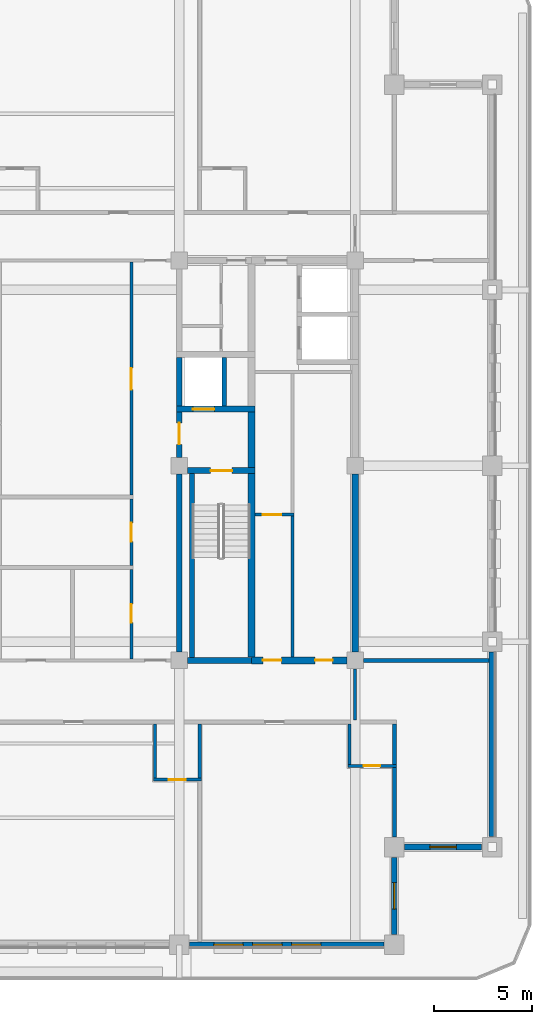
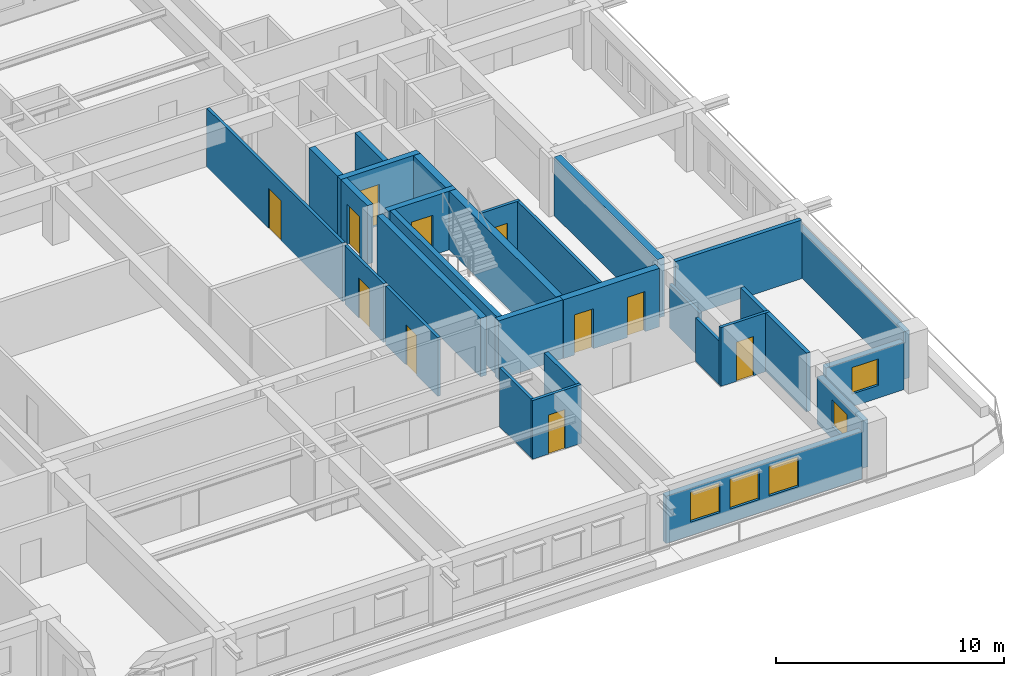
# One storey, part 4 of 14: 30 walls, 11 doors, 5 windows, 16 openings.
"""IFC4 building model written with IfcOpenShell, lengths in metres."""

from ifc_helpers import new_model, si_unit, direction, frame, frame_2d, origin, place, context, subcontext, project, spatial, rectangle, extrude, material, layer, layer_set, type_object, element, fill, save


model = new_model("IFC4")

# Units and contexts
model_context = context("Model", 3, precision=1e-05, world=origin(), true_north=direction((0.0, 1.0)))
body_context = subcontext(model_context, "Body", "Model", "MODEL_VIEW")
ifc_project = project(units=[si_unit("LENGTHUNIT", "METRE"), si_unit("AREAUNIT", "SQUARE_METRE"), si_unit("VOLUMEUNIT", "CUBIC_METRE"), si_unit("PLANEANGLEUNIT", "RADIAN"), si_unit("MASSUNIT", "GRAM", prefix="KILO")], contexts=[model_context])

# Site, building, storey
site_placement = place(None, origin())
site = spatial("IfcSite", under=ifc_project, at=site_placement, CompositionType="ELEMENT")
building_placement = place(site_placement, origin())
building = spatial("IfcBuilding", under=site, at=building_placement, Name="Zulmaris Gate Convention Tower", CompositionType="ELEMENT")
storey_placement = place(building_placement, frame((0.0, 0.0, 162.659912109375)))
storey = spatial("IfcBuildingStorey", under=building, at=storey_placement, Name="L41", CompositionType="ELEMENT", Elevation=162.659912109375)

# Walls
ifc_material_1 = material(Name="Concrete C50/60", Category="concrete")
ifc_layer_1 = layer(ifc_material_1, 0.25, Name="Concrete C50/60")
ifc_layer_set_1 = layer_set([ifc_layer_1], Name="Concrete C50/60")
wall_type_1 = type_object("IfcWallType", Name="CORE-250", PredefinedType="SOLIDWALL", material=ifc_layer_set_1)
wall_1_placement = place(storey_placement, frame((11.64990234375, -9.798095703125, 0.0), z_axis=(0.0, 0.0, 1.0), x_axis=(0.0, 1.0, 0.0)))
element("IfcWall", 1, at=wall_1_placement, inside=storey, type_object=wall_type_1, Name="WL-L41-063", PredefinedType="SOLIDWALL", context=body_context, shape_type="SweptSolid", body=[
    extrude(rectangle(XDim=9.39599609375, YDim=0.25, at=frame_2d((4.697998046875, 0.0))), origin(), (0.0, 0.0, 1.0), 3.14990234375),
])
wall_2_placement = place(storey_placement, frame((13.300048828125, 3.052001953125, 0.0), z_axis=(0.0, 0.0, 1.0), x_axis=(0.0, 1.0, 0.0)))
element("IfcWall", 2, at=wall_2_placement, inside=storey, type_object=wall_type_1, Name="WL-L41-064", PredefinedType="SOLIDWALL", context=body_context, shape_type="SweptSolid", body=[
    extrude(rectangle(XDim=2.49609375, YDim=0.25, at=frame_2d((1.248046875, 0.0))), origin(), (0.0, 0.0, 1.0), 3.14990234375),
])
ifc_layer_2 = layer(ifc_material_1, 0.300048828125, Name="Concrete C50/60")
ifc_layer_set_2 = layer_set([ifc_layer_2], Name="Concrete C50/60")
wall_type_2 = type_object("IfcWallType", Name="CORE-300", PredefinedType="SHEAR", material=ifc_layer_set_2)
wall_3_placement = place(storey_placement, frame((11.428955078125, -9.949951171875, 0.0), z_axis=(0.0, 0.0, 1.0), x_axis=(1.0, 0.0, 0.0)))
element("IfcWall", 3, at=wall_3_placement, inside=storey, type_object=wall_type_2, Name="WL-L41-003", PredefinedType="SHEAR", context=body_context, shape_type="SweptSolid", body=[
    extrude(rectangle(XDim=3.27099609375, YDim=0.300048828125, at=frame_2d((1.635498046875, 0.0))), origin(), (0.0, 0.0, 1.0), 3.14990234375),
])

# Wall, opening, door
wall_4_placement = place(storey_placement, frame((11.428955078125, -0.25, 0.0), z_axis=(0.0, 0.0, 1.0), x_axis=(1.0, 0.0, 0.0)))
wall_4 = element("IfcWall", 4, at=wall_4_placement, inside=storey, type_object=wall_type_2, Name="WL-L41-006", PredefinedType="SHEAR", context=body_context, shape_type="SweptSolid", body=[
    extrude(rectangle(XDim=3.446044921875, YDim=0.300048828125, at=frame_2d((1.72314453125, 0.0))), origin(), (0.0, 0.0, 1.0), 3.14990234375),
])
opening_1_placement = place(wall_4_placement, frame((1.1708984375, 0.0, 0.0)))
opening_1 = element("IfcOpeningElement", 5, at=opening_1_placement, cuts=wall_4, Name="Opening D-08", PredefinedType="OPENING", context=body_context, shape_type="SweptSolid", body=[
    extrude(rectangle(XDim=1.10009765625, YDim=2.14990234375, at=frame_2d((0.550048828125, 1.074951171875))), frame((0.0, 0.16015625, 0.0), z_axis=(0.0, -1.0, 0.0), x_axis=(1.0, 0.0, 0.0)), (0.0, 0.0, 1.0), 0.320068359375),
])
ifc_material_2 = material(Name="Fire-Rated Steel", Category="steel")
door_type_1 = type_object("IfcDoorType", Name="DR-1100-FD", OperationType="NOTDEFINED", PredefinedType="DOOR", material=ifc_material_2)
door_1_placement = place(opening_1_placement, origin())
door_1 = element("IfcDoor", 6, at=door_1_placement, inside=storey, type_object=door_type_1, Name="L41 Exit Stair ST-2 Door 04", OperationType="SINGLE_SWING_RIGHT", OverallHeight=2.14990234375, OverallWidth=1.10009765625, PredefinedType="DOOR", context=body_context, shape_type="SweptSolid", body=[
    extrude(rectangle(XDim=1.10009765625, YDim=2.14990234375, at=frame_2d((0.550048828125, 1.074951171875))), frame((0.0, 0.02490234375, 0.0), z_axis=(0.0, -1.0, 0.0), x_axis=(1.0, 0.0, 0.0)), (0.0, 0.0, 1.0), 0.050048828125),
])
fill(opening_1, door_1)

wall_5_placement = place(storey_placement, frame((10.85009765625, 2.89990234375, 0.0), z_axis=(0.0, 0.0, 1.0), x_axis=(1.0, 0.0, 0.0)))
wall_5 = element("IfcWall", 7, at=wall_5_placement, inside=storey, type_object=wall_type_2, Name="WL-L41-009", PredefinedType="SHEAR", context=body_context, shape_type="SweptSolid", body=[
    extrude(rectangle(XDim=4.02490234375, YDim=0.300048828125, at=frame_2d((2.012451171875, 0.0))), origin(), (0.0, 0.0, 1.0), 3.14990234375),
])
opening_2_placement = place(wall_5_placement, frame((0.85009765625, 0.0, 0.0)))
opening_2 = element("IfcOpeningElement", 8, at=opening_2_placement, cuts=wall_5, Name="Opening D-06", PredefinedType="OPENING", context=body_context, shape_type="SweptSolid", body=[
    extrude(rectangle(XDim=1.10009765625, YDim=2.199951171875, at=frame_2d((0.550048828125, 1.10009765625))), frame((0.0, 0.16015625, 0.0), z_axis=(0.0, -1.0, 0.0), x_axis=(1.0, 0.0, 0.0)), (0.0, 0.0, 1.0), 0.320068359375),
])
ifc_material_3 = material(Name="Brushed Stainless Steel", Category="steel")
door_type_2 = type_object("IfcDoorType", Name="LD-1100", OperationType="NOTDEFINED", PredefinedType="DOOR", material=ifc_material_3)
door_2_placement = place(opening_2_placement, origin())
door_2 = element("IfcDoor", 9, at=door_2_placement, inside=storey, type_object=door_type_2, Name="L41 Lift Landing Door LF-02 06", OperationType="SLIDING_TO_RIGHT", OverallHeight=2.199951171875, OverallWidth=1.10009765625, PredefinedType="DOOR", context=body_context, shape_type="SweptSolid", body=[
    extrude(rectangle(XDim=1.10009765625, YDim=2.199951171875, at=frame_2d((0.550048828125, 1.10009765625))), frame((0.0, 0.02490234375, 0.0), z_axis=(0.0, -1.0, 0.0), x_axis=(1.0, 0.0, 0.0)), (0.0, 0.0, 1.0), 0.050048828125),
])
fill(opening_2, door_2)

# Wall
wall_6_placement = place(storey_placement, frame((11.0, -9.52099609375, 0.0), z_axis=(0.0, 0.0, 1.0), x_axis=(0.0, 1.0, 0.0)))
element("IfcWall", 10, at=wall_6_placement, inside=storey, type_object=wall_type_2, Name="WL-L41-059", PredefinedType="SHEAR", context=body_context, shape_type="SweptSolid", body=[
    extrude(rectangle(XDim=9.092041015625, YDim=0.300048828125, at=frame_2d((4.5458984375, 0.0))), origin(), (0.0, 0.0, 1.0), 3.14990234375),
])

# Wall, opening, door
wall_7_placement = place(storey_placement, frame((11.0, 0.428955078125, 0.0), z_axis=(0.0, 0.0, 1.0), x_axis=(0.0, 1.0, 0.0)))
wall_7 = element("IfcWall", 11, at=wall_7_placement, inside=storey, type_object=wall_type_2, Name="WL-L41-060", PredefinedType="SHEAR", context=body_context, shape_type="SweptSolid", body=[
    extrude(rectangle(XDim=2.319091796875, YDim=0.300048828125, at=frame_2d((1.15966796875, 0.0))), origin(), (0.0, 0.0, 1.0), 3.14990234375),
])
opening_3_placement = place(wall_7_placement, frame((0.6708984375, 0.0, 0.0)))
opening_3 = element("IfcOpeningElement", 12, at=opening_3_placement, cuts=wall_7, Name="Opening D-08", PredefinedType="OPENING", context=body_context, shape_type="SweptSolid", body=[
    extrude(rectangle(XDim=1.10009765625, YDim=2.14990234375, at=frame_2d((0.550048828125, 1.074951171875))), frame((0.0, 0.16015625, 0.0), z_axis=(0.0, -1.0, 0.0), x_axis=(1.0, 0.0, 0.0)), (0.0, 0.0, 1.0), 0.320068359375),
])
door_3_placement = place(opening_3_placement, origin())
door_3 = element("IfcDoor", 13, at=door_3_placement, inside=storey, type_object=door_type_1, Name="L41 East Firefighting Lobby Door 05", OperationType="SINGLE_SWING_LEFT", OverallHeight=2.14990234375, OverallWidth=1.10009765625, PredefinedType="DOOR", context=body_context, shape_type="SweptSolid", body=[
    extrude(rectangle(XDim=1.10009765625, YDim=2.14990234375, at=frame_2d((0.550048828125, 1.074951171875))), frame((0.0, 0.02490234375, 0.0), z_axis=(0.0, -1.0, 0.0), x_axis=(1.0, 0.0, 0.0)), (0.0, 0.0, 1.0), 0.050048828125),
])
fill(opening_3, door_3)

# Wall
wall_8_placement = place(storey_placement, frame((11.0, 3.052001953125, 0.0), z_axis=(0.0, 0.0, 1.0), x_axis=(0.0, 1.0, 0.0)))
element("IfcWall", 14, at=wall_8_placement, inside=storey, type_object=wall_type_2, Name="WL-L41-061", PredefinedType="SHEAR", context=body_context, shape_type="SweptSolid", body=[
    extrude(rectangle(XDim=2.49609375, YDim=0.300048828125, at=frame_2d((1.248046875, 0.0))), origin(), (0.0, 0.0, 1.0), 3.14990234375),
])

# Wall, openings, doors
ifc_material_4 = material(Name="Concrete C55/67", Category="concrete")
ifc_layer_3 = layer(ifc_material_4, 0.35009765625, Name="Concrete C55/67")
ifc_layer_set_3 = layer_set([ifc_layer_3], Name="Concrete C55/67")
wall_type_3 = type_object("IfcWallType", Name="CORE-350", PredefinedType="SHEAR", material=ifc_layer_set_3)
wall_9_placement = place(storey_placement, frame((14.699951171875, -9.949951171875, 0.0), z_axis=(0.0, 0.0, 1.0), x_axis=(1.0, 0.0, 0.0)))
wall_9 = element("IfcWall", 15, at=wall_9_placement, inside=storey, type_object=wall_type_3, Name="WL-L41-004", PredefinedType="SHEAR", context=body_context, shape_type="SweptSolid", body=[
    extrude(rectangle(XDim=4.87109375, YDim=0.35009765625, at=frame_2d((2.435546875, 0.0))), origin(), (0.0, 0.0, 1.0), 3.14990234375),
])
opening_4_placement = place(wall_9_placement, frame((3.25, 0.0, 0.0)))
opening_4 = element("IfcOpeningElement", 16, at=opening_4_placement, cuts=wall_9, Name="Opening D-12", PredefinedType="OPENING", context=body_context, shape_type="SweptSolid", body=[
    extrude(rectangle(XDim=0.89990234375, YDim=2.14990234375, at=frame_2d((0.449951171875, 1.074951171875))), frame((0.0, 0.18505859375, 0.0), z_axis=(0.0, -1.0, 0.0), x_axis=(1.0, 0.0, 0.0)), (0.0, 0.0, 1.0), 0.3701171875),
])
opening_5_placement = place(wall_9_placement, frame((0.574951171875, 0.0, 0.0)))
opening_5 = element("IfcOpeningElement", 17, at=opening_5_placement, cuts=wall_9, Name="Opening D-11", PredefinedType="OPENING", context=body_context, shape_type="SweptSolid", body=[
    extrude(rectangle(XDim=0.949951171875, YDim=2.14990234375, at=frame_2d((0.47509765625, 1.074951171875))), frame((0.0, 0.18505859375, 0.0), z_axis=(0.0, -1.0, 0.0), x_axis=(1.0, 0.0, 0.0)), (0.0, 0.0, 1.0), 0.3701171875),
])
ifc_material_5 = material(Name="Fire-Rated Timber", Category="wood")
door_type_3 = type_object("IfcDoorType", Name="DR-900-FD", OperationType="NOTDEFINED", PredefinedType="DOOR", material=ifc_material_5)
door_4_placement = place(opening_4_placement, origin())
door_4 = element("IfcDoor", 18, at=door_4_placement, inside=storey, type_object=door_type_3, Name="L41 Core IT Room Door 22", OperationType="SINGLE_SWING_LEFT", OverallHeight=2.14990234375, OverallWidth=0.89990234375, PredefinedType="DOOR", context=body_context, shape_type="SweptSolid", body=[
    extrude(rectangle(XDim=0.89990234375, YDim=2.14990234375, at=frame_2d((0.449951171875, 1.074951171875))), frame((0.0, 0.02490234375, 0.0), z_axis=(0.0, -1.0, 0.0), x_axis=(1.0, 0.0, 0.0)), (0.0, 0.0, 1.0), 0.050048828125),
])
fill(opening_4, door_4)
door_type_4 = type_object("IfcDoorType", Name="DR-950-FD", OperationType="NOTDEFINED", PredefinedType="DOOR", material=ifc_material_5)
door_5_placement = place(opening_5_placement, origin())
door_5 = element("IfcDoor", 19, at=door_5_placement, inside=storey, type_object=door_type_4, Name="L41 Guest Pantry Door 23", OperationType="SINGLE_SWING_RIGHT", OverallHeight=2.14990234375, OverallWidth=0.949951171875, PredefinedType="DOOR", context=body_context, shape_type="SweptSolid", body=[
    extrude(rectangle(XDim=0.949951171875, YDim=2.14990234375, at=frame_2d((0.47509765625, 1.074951171875))), frame((0.0, 0.02490234375, 0.0), z_axis=(0.0, -1.0, 0.0), x_axis=(1.0, 0.0, 0.0)), (0.0, 0.0, 1.0), 0.050048828125),
])
fill(opening_5, door_5)

# Walls
wall_10_placement = place(storey_placement, frame((14.699951171875, -9.77294921875, 0.0), z_axis=(0.0, 0.0, 1.0), x_axis=(0.0, 1.0, 0.0)))
element("IfcWall", 20, at=wall_10_placement, inside=storey, type_object=wall_type_3, Name="WL-L41-065", PredefinedType="SHEAR", context=body_context, shape_type="SweptSolid", body=[
    extrude(rectangle(XDim=9.370849609375, YDim=0.35009765625, at=frame_2d((4.685546875, 0.0))), origin(), (0.0, 0.0, 1.0), 3.14990234375),
])
wall_11_placement = place(storey_placement, frame((14.699951171875, -0.097900390625, 0.0), z_axis=(0.0, 0.0, 1.0), x_axis=(0.0, 1.0, 0.0)))
element("IfcWall", 21, at=wall_11_placement, inside=storey, type_object=wall_type_3, Name="WL-L41-066", PredefinedType="SHEAR", context=body_context, shape_type="SweptSolid", body=[
    extrude(rectangle(XDim=2.845947265625, YDim=0.35009765625, at=frame_2d((1.4228515625, 0.0))), origin(), (0.0, 0.0, 1.0), 3.14990234375),
])
wall_12_placement = place(storey_placement, frame((20.0, -9.52099609375, 0.0), z_axis=(0.0, 0.0, 1.0), x_axis=(0.0, 1.0, 0.0)))
element("IfcWall", 22, at=wall_12_placement, inside=storey, type_object=wall_type_3, Name="WL-L41-071", PredefinedType="SHEAR", context=body_context, shape_type="SweptSolid", body=[
    extrude(rectangle(XDim=9.092041015625, YDim=0.35009765625, at=frame_2d((4.5458984375, 0.0))), origin(), (0.0, 0.0, 1.0), 3.14990234375),
])

# Wall, opening, door
ifc_material_6 = material(Name="Gypsum Metal Stud Partition")
ifc_layer_4 = layer(ifc_material_6, 0.14990234375, Name="Gypsum Metal Stud Partition")
ifc_layer_set_4 = layer_set([ifc_layer_4], Name="Gypsum Metal Stud Partition")
wall_type_4 = type_object("IfcWallType", Name="PART-150", PredefinedType="PARTITIONING", material=ifc_layer_set_4)
wall_13_placement = place(storey_placement, frame((9.675048828125, -16.050048828125, 0.0), z_axis=(0.0, 0.0, 1.0), x_axis=(1.0, 0.0, 0.0)))
wall_13 = element("IfcWall", 23, at=wall_13_placement, inside=storey, type_object=wall_type_4, Name="WL-L41-019", PredefinedType="PARTITIONING", context=body_context, shape_type="SweptSolid", body=[
    extrude(rectangle(XDim=2.474853515625, YDim=0.14990234375, at=frame_2d((1.2373046875, 0.0))), origin(), (0.0, 0.0, 1.0), 3.14990234375),
])
opening_6_placement = place(wall_13_placement, frame((0.800048828125, 0.0, 0.0)))
opening_6 = element("IfcOpeningElement", 24, at=opening_6_placement, cuts=wall_13, Name="Opening D-17", PredefinedType="OPENING", context=body_context, shape_type="SweptSolid", body=[
    extrude(rectangle(XDim=0.85009765625, YDim=2.10009765625, at=frame_2d((0.425048828125, 1.050048828125))), frame((0.0, 0.0849609375, 0.0), z_axis=(0.0, -1.0, 0.0), x_axis=(1.0, 0.0, 0.0)), (0.0, 0.0, 1.0), 0.169921875),
])
ifc_material_7 = material(Name="Moisture-Resistant Hardwood Timber", Category="wood")
door_type_5 = type_object("IfcDoorType", Name="DR-850", OperationType="NOTDEFINED", PredefinedType="DOOR", material=ifc_material_7)
door_6_placement = place(opening_6_placement, origin())
door_6 = element("IfcDoor", 25, at=door_6_placement, inside=storey, type_object=door_type_5, Name="L41 En-Suite Door 41", OperationType="SINGLE_SWING_RIGHT", OverallHeight=2.10009765625, OverallWidth=0.85009765625, PredefinedType="DOOR", context=body_context, shape_type="SweptSolid", body=[
    extrude(rectangle(XDim=0.85009765625, YDim=2.10009765625, at=frame_2d((0.425048828125, 1.050048828125))), frame((0.0, 0.02490234375, 0.0), z_axis=(0.0, -1.0, 0.0), x_axis=(1.0, 0.0, 0.0)), (0.0, 0.0, 1.0), 0.050048828125),
])
fill(opening_6, door_6)

wall_14_placement = place(storey_placement, frame((19.625, -15.35009765625, 0.0), z_axis=(0.0, 0.0, 1.0), x_axis=(1.0, 0.0, 0.0)))
wall_14 = element("IfcWall", 26, at=wall_14_placement, inside=storey, type_object=wall_type_4, Name="WL-L41-021", PredefinedType="PARTITIONING", context=body_context, shape_type="SweptSolid", body=[
    extrude(rectangle(XDim=2.47509765625, YDim=0.14990234375, at=frame_2d((1.237548828125, 0.0))), origin(), (0.0, 0.0, 1.0), 3.14990234375),
])
opening_7_placement = place(wall_14_placement, frame((0.800048828125, 0.0, 0.0)))
opening_7 = element("IfcOpeningElement", 27, at=opening_7_placement, cuts=wall_14, Name="Opening D-17", PredefinedType="OPENING", context=body_context, shape_type="SweptSolid", body=[
    extrude(rectangle(XDim=0.85009765625, YDim=2.10009765625, at=frame_2d((0.425048828125, 1.050048828125))), frame((0.0, 0.0849609375, 0.0), z_axis=(0.0, -1.0, 0.0), x_axis=(1.0, 0.0, 0.0)), (0.0, 0.0, 1.0), 0.169921875),
])
door_7_placement = place(opening_7_placement, origin())
door_7 = element("IfcDoor", 28, at=door_7_placement, inside=storey, type_object=door_type_5, Name="L41 En-Suite Door 43", OperationType="SINGLE_SWING_RIGHT", OverallHeight=2.10009765625, OverallWidth=0.85009765625, PredefinedType="DOOR", context=body_context, shape_type="SweptSolid", body=[
    extrude(rectangle(XDim=0.85009765625, YDim=2.10009765625, at=frame_2d((0.425048828125, 1.050048828125))), frame((0.0, 0.02490234375, 0.0), z_axis=(0.0, -1.0, 0.0), x_axis=(1.0, 0.0, 0.0)), (0.0, 0.0, 1.0), 0.050048828125),
])
fill(opening_7, door_7)

wall_15_placement = place(storey_placement, frame((14.8779296875, -2.5, 0.0), z_axis=(0.0, 0.0, 1.0), x_axis=(1.0, 0.0, 0.0)))
wall_15 = element("IfcWall", 29, at=wall_15_placement, inside=storey, type_object=wall_type_4, Name="WL-L41-027", PredefinedType="PARTITIONING", context=body_context, shape_type="SweptSolid", body=[
    extrude(rectangle(XDim=1.9970703125, YDim=0.14990234375, at=frame_2d((0.99853515625, 0.0))), origin(), (0.0, 0.0, 1.0), 3.14990234375),
])
opening_8_placement = place(wall_15_placement, frame((0.39697265625, 0.0, 0.0)))
opening_8 = element("IfcOpeningElement", 30, at=opening_8_placement, cuts=wall_15, Name="Opening D-11", PredefinedType="OPENING", context=body_context, shape_type="SweptSolid", body=[
    extrude(rectangle(XDim=0.949951171875, YDim=2.14990234375, at=frame_2d((0.47509765625, 1.074951171875))), frame((0.0, 0.0849609375, 0.0), z_axis=(0.0, -1.0, 0.0), x_axis=(1.0, 0.0, 0.0)), (0.0, 0.0, 1.0), 0.169921875),
])
door_8_placement = place(opening_8_placement, origin())
door_8 = element("IfcDoor", 31, at=door_8_placement, inside=storey, type_object=door_type_4, Name="L41 Supply Closet Door 24", OperationType="SINGLE_SWING_LEFT", OverallHeight=2.14990234375, OverallWidth=0.949951171875, PredefinedType="DOOR", context=body_context, shape_type="SweptSolid", body=[
    extrude(rectangle(XDim=0.949951171875, YDim=2.14990234375, at=frame_2d((0.47509765625, 1.074951171875))), frame((0.0, 0.02490234375, 0.0), z_axis=(0.0, -1.0, 0.0), x_axis=(1.0, 0.0, 0.0)), (0.0, 0.0, 1.0), 0.050048828125),
])
fill(opening_8, door_8)

wall_16_placement = place(storey_placement, frame((8.550048828125, -9.8720703125, 0.0), z_axis=(0.0, 0.0, 1.0), x_axis=(0.0, 1.0, 0.0)))
wall_16 = element("IfcWall", 32, at=wall_16_placement, inside=storey, type_object=wall_type_4, Name="WL-L41-101", PredefinedType="PARTITIONING", context=body_context, shape_type="SweptSolid", body=[
    extrude(rectangle(XDim=4.569091796875, YDim=0.14990234375, at=frame_2d((2.28466796875, 0.0))), origin(), (0.0, 0.0, 1.0), 3.14990234375),
])
opening_9_placement = place(wall_16_placement, frame((1.846923828125, 0.0, 0.0)))
opening_9 = element("IfcOpeningElement", 33, at=opening_9_placement, cuts=wall_16, Name="Opening D-11", PredefinedType="OPENING", context=body_context, shape_type="SweptSolid", body=[
    extrude(rectangle(XDim=0.949951171875, YDim=2.14990234375, at=frame_2d((0.47509765625, 1.074951171875))), frame((0.0, 0.0849609375, 0.0), z_axis=(0.0, -1.0, 0.0), x_axis=(1.0, 0.0, 0.0)), (0.0, 0.0, 1.0), 0.169921875),
])
door_9_placement = place(opening_9_placement, origin())
door_9 = element("IfcDoor", 34, at=door_9_placement, inside=storey, type_object=door_type_4, Name="L41 Accessible WC Door 48", OperationType="SINGLE_SWING_LEFT", OverallHeight=2.14990234375, OverallWidth=0.949951171875, PredefinedType="DOOR", context=body_context, shape_type="SweptSolid", body=[
    extrude(rectangle(XDim=0.949951171875, YDim=2.14990234375, at=frame_2d((0.47509765625, 1.074951171875))), frame((0.0, 0.02490234375, 0.0), z_axis=(0.0, -1.0, 0.0), x_axis=(1.0, 0.0, 0.0)), (0.0, 0.0, 1.0), 0.050048828125),
])
fill(opening_9, door_9)

wall_17_placement = place(storey_placement, frame((8.550048828125, -5.096923828125, 0.0), z_axis=(0.0, 0.0, 1.0), x_axis=(0.0, 1.0, 0.0)))
wall_17 = element("IfcWall", 35, at=wall_17_placement, inside=storey, type_object=wall_type_4, Name="WL-L41-102", PredefinedType="PARTITIONING", context=body_context, shape_type="SweptSolid", body=[
    extrude(rectangle(XDim=3.39404296875, YDim=0.14990234375, at=frame_2d((1.697021484375, 0.0))), origin(), (0.0, 0.0, 1.0), 3.14990234375),
])
opening_10_placement = place(wall_17_placement, frame((1.221923828125, 0.0, 0.0)))
opening_10 = element("IfcOpeningElement", 36, at=opening_10_placement, cuts=wall_17, Name="Opening D-11", PredefinedType="OPENING", context=body_context, shape_type="SweptSolid", body=[
    extrude(rectangle(XDim=0.949951171875, YDim=2.14990234375, at=frame_2d((0.47509765625, 1.074951171875))), frame((0.0, 0.0849609375, 0.0), z_axis=(0.0, -1.0, 0.0), x_axis=(1.0, 0.0, 0.0)), (0.0, 0.0, 1.0), 0.169921875),
])
door_10_placement = place(opening_10_placement, origin())
door_10 = element("IfcDoor", 37, at=door_10_placement, inside=storey, type_object=door_type_4, Name="L41 Public WC Door 47", OperationType="SINGLE_SWING_RIGHT", OverallHeight=2.14990234375, OverallWidth=0.949951171875, PredefinedType="DOOR", context=body_context, shape_type="SweptSolid", body=[
    extrude(rectangle(XDim=0.949951171875, YDim=2.14990234375, at=frame_2d((0.47509765625, 1.074951171875))), frame((0.0, 0.02490234375, 0.0), z_axis=(0.0, -1.0, 0.0), x_axis=(1.0, 0.0, 0.0)), (0.0, 0.0, 1.0), 0.050048828125),
])
fill(opening_10, door_10)

wall_18_placement = place(storey_placement, frame((8.550048828125, -1.4970703125, 0.0), z_axis=(0.0, 0.0, 1.0), x_axis=(0.0, 1.0, 0.0)))
wall_18 = element("IfcWall", 38, at=wall_18_placement, inside=storey, type_object=wall_type_4, Name="WL-L41-103", PredefinedType="PARTITIONING", context=body_context, shape_type="SweptSolid", body=[
    extrude(rectangle(XDim=11.919189453125, YDim=0.14990234375, at=frame_2d((5.95947265625, 0.0))), origin(), (0.0, 0.0, 1.0), 3.14990234375),
])
opening_11_placement = place(wall_18_placement, frame((5.39697265625, 0.0, 0.0)))
opening_11 = element("IfcOpeningElement", 39, at=opening_11_placement, cuts=wall_18, Name="Opening D-08", PredefinedType="OPENING", context=body_context, shape_type="SweptSolid", body=[
    extrude(rectangle(XDim=1.10009765625, YDim=2.14990234375, at=frame_2d((0.550048828125, 1.074951171875))), frame((0.0, 0.0849609375, 0.0), z_axis=(0.0, -1.0, 0.0), x_axis=(1.0, 0.0, 0.0)), (0.0, 0.0, 1.0), 0.169921875),
])
door_11_placement = place(opening_11_placement, origin())
door_11 = element("IfcDoor", 40, at=door_11_placement, inside=storey, type_object=door_type_1, Name="L41 Breakout Room Door 46", OperationType="SINGLE_SWING_LEFT", OverallHeight=2.14990234375, OverallWidth=1.10009765625, PredefinedType="DOOR", context=body_context, shape_type="SweptSolid", body=[
    extrude(rectangle(XDim=1.10009765625, YDim=2.14990234375, at=frame_2d((0.550048828125, 1.074951171875))), frame((0.0, 0.02490234375, 0.0), z_axis=(0.0, -1.0, 0.0), x_axis=(1.0, 0.0, 0.0)), (0.0, 0.0, 1.0), 0.050048828125),
])
fill(opening_11, door_11)

# Walls
wall_19_placement = place(storey_placement, frame((9.75, -15.971923828125, 0.0), z_axis=(0.0, 0.0, 1.0), x_axis=(0.0, 1.0, 0.0)))
element("IfcWall", 41, at=wall_19_placement, inside=storey, type_object=wall_type_4, Name="WL-L41-104", PredefinedType="PARTITIONING", context=body_context, shape_type="SweptSolid", body=[
    extrude(rectangle(XDim=2.76904296875, YDim=0.14990234375, at=frame_2d((1.384521484375, 0.0))), origin(), (0.0, 0.0, 1.0), 3.14990234375),
])
wall_20_placement = place(storey_placement, frame((16.800048828125, -9.77197265625, 0.0), z_axis=(0.0, 0.0, 1.0), x_axis=(0.0, 1.0, 0.0)))
element("IfcWall", 42, at=wall_20_placement, inside=storey, type_object=wall_type_4, Name="WL-L41-112", PredefinedType="PARTITIONING", context=body_context, shape_type="SweptSolid", body=[
    extrude(rectangle(XDim=7.194091796875, YDim=0.14990234375, at=frame_2d((3.59716796875, 0.0))), origin(), (0.0, 0.0, 1.0), 3.14990234375),
])
wall_21_placement = place(storey_placement, frame((19.699951171875, -15.27197265625, 0.0), z_axis=(0.0, 0.0, 1.0), x_axis=(0.0, 1.0, 0.0)))
element("IfcWall", 43, at=wall_21_placement, inside=storey, type_object=wall_type_4, Name="WL-L41-114", PredefinedType="PARTITIONING", context=body_context, shape_type="SweptSolid", body=[
    extrude(rectangle(XDim=2.069091796875, YDim=0.14990234375, at=frame_2d((1.03466796875, 0.0))), origin(), (0.0, 0.0, 1.0), 2.341796875),
])
wall_22_placement = place(storey_placement, frame((20.0, -12.9970703125, 0.0), z_axis=(0.0, 0.0, 1.0), x_axis=(0.0, 1.0, 0.0)))
element("IfcWall", 44, at=wall_22_placement, inside=storey, type_object=wall_type_4, Name="WL-L41-115", PredefinedType="PARTITIONING", context=body_context, shape_type="SweptSolid", body=[
    extrude(rectangle(XDim=2.615966796875, YDim=0.14990234375, at=frame_2d((1.30810546875, 0.0))), origin(), (0.0, 0.0, 1.0), 2.341796875),
])
ifc_material_8 = material(Name="Autoclaved Aerated Concrete Block and Plasterboard", Category="concrete")
ifc_layer_5 = layer(ifc_material_8, 0.199951171875, Name="Autoclaved Aerated Concrete Block and Plasterboard")
ifc_layer_set_5 = layer_set([ifc_layer_5], Name="Autoclaved Aerated Concrete Block and Plasterboard")
wall_type_5 = type_object("IfcWallType", Name="PART-200", PredefinedType="PARTITIONING", material=ifc_layer_set_5)
wall_23_placement = place(storey_placement, frame((20.430908203125, -9.949951171875, 0.0), z_axis=(0.0, 0.0, 1.0), x_axis=(1.0, 0.0, 0.0)))
element("IfcWall", 45, at=wall_23_placement, inside=storey, type_object=wall_type_5, Name="WL-L41-025", PredefinedType="PARTITIONING", context=body_context, shape_type="SweptSolid", body=[
    extrude(rectangle(XDim=6.404052734375, YDim=0.199951171875, at=frame_2d((3.2021484375, 0.0))), origin(), (0.0, 0.0, 1.0), 3.14990234375),
])
wall_24_placement = place(storey_placement, frame((12.050048828125, -15.971923828125, 0.0), z_axis=(0.0, 0.0, 1.0), x_axis=(0.0, 1.0, 0.0)))
element("IfcWall", 46, at=wall_24_placement, inside=storey, type_object=wall_type_5, Name="WL-L41-106", PredefinedType="PARTITIONING", context=body_context, shape_type="SweptSolid", body=[
    extrude(rectangle(XDim=2.76904296875, YDim=0.199951171875, at=frame_2d((1.384521484375, 0.0))), origin(), (0.0, 0.0, 1.0), 3.14990234375),
])
wall_25_placement = place(storey_placement, frame((22.0, -18.993896484375, 0.0), z_axis=(0.0, 0.0, 1.0), x_axis=(0.0, 1.0, 0.0)))
element("IfcWall", 47, at=wall_25_placement, inside=storey, type_object=wall_type_5, Name="WL-L41-117", PredefinedType="PARTITIONING", context=body_context, shape_type="SweptSolid", body=[
    extrude(rectangle(XDim=3.56591796875, YDim=0.199951171875, at=frame_2d((1.782958984375, 0.0))), origin(), (0.0, 0.0, 1.0), 3.14990234375),
])
wall_26_placement = place(storey_placement, frame((22.0, -15.27197265625, 0.0), z_axis=(0.0, 0.0, 1.0), x_axis=(0.0, 1.0, 0.0)))
element("IfcWall", 48, at=wall_26_placement, inside=storey, type_object=wall_type_5, Name="WL-L41-118", PredefinedType="PARTITIONING", context=body_context, shape_type="SweptSolid", body=[
    extrude(rectangle(XDim=2.069091796875, YDim=0.199951171875, at=frame_2d((1.03466796875, 0.0))), origin(), (0.0, 0.0, 1.0), 3.14990234375),
])

# Wall, opening, window
ifc_material_9 = material(Name="Precast concrete C40/50", Category="concrete")
ifc_layer_6 = layer(ifc_material_9, 0.300048828125, Name="Precast concrete C40/50")
ifc_layer_set_6 = layer_set([ifc_layer_6], Name="Precast concrete C40/50")
wall_type_6 = type_object("IfcWallType", Name="PRECAST-PIER-300", PredefinedType="STANDARD", material=ifc_layer_set_6)
wall_27_placement = place(storey_placement, frame((22.0, -23.969970703125, 0.0), z_axis=(0.0, 0.0, 1.0), x_axis=(0.0, 1.0, 0.0)))
wall_27 = element("IfcWall", 49, at=wall_27_placement, inside=storey, type_object=wall_type_6, Name="EW-L41-NOTCH-SE1_0", PredefinedType="STANDARD", context=body_context, shape_type="SweptSolid", body=[
    extrude(rectangle(XDim=3.93994140625, YDim=0.300048828125, at=frame_2d((1.969970703125, 0.0))), origin(), (0.0, 0.0, 1.0), 2.5419921875),
])
opening_12_placement = place(wall_27_placement, frame((1.294921875, 0.0, 0.679931640625)))
opening_12 = element("IfcOpeningElement", 50, at=opening_12_placement, cuts=wall_27, Name="Opening W-10", PredefinedType="OPENING", context=body_context, shape_type="SweptSolid", body=[
    extrude(rectangle(XDim=1.35009765625, YDim=1.419921875, at=frame_2d((0.675048828125, 0.7099609375))), frame((0.0, 0.16015625, 0.0), z_axis=(0.0, -1.0, 0.0), x_axis=(1.0, 0.0, 0.0)), (0.0, 0.0, 1.0), 0.320068359375),
])
ifc_material_10 = material(Name="Low-E Laminated Double Glazing in Aluminium Frame", Category="aluminium")
window_type_1 = type_object("IfcWindowType", Name="WIN-1350x2000", PartitioningType="SINGLE_PANEL", PredefinedType="WINDOW", material=ifc_material_10)
window_1_placement = place(opening_12_placement, origin())
window_1 = element("IfcWindow", 51, at=window_1_placement, inside=storey, type_object=window_type_1, Name="WN-EW-L41-NOTCH-SE1_0", OverallHeight=1.419921875, OverallWidth=1.35009765625, PartitioningType="SINGLE_PANEL", PredefinedType="WINDOW", context=body_context, shape_type="SweptSolid", body=[
    extrude(rectangle(XDim=1.35009765625, YDim=1.419921875, at=frame_2d((0.675048828125, 0.7099609375))), frame((0.0, 0.030029296875, 0.0), z_axis=(0.0, -1.0, 0.0), x_axis=(1.0, 0.0, 0.0)), (0.0, 0.0, 1.0), 0.06005859375),
])
fill(opening_12, window_1)

wall_28_placement = place(storey_placement, frame((22.530029296875, -19.5, 0.0), z_axis=(0.0, 0.0, 1.0), x_axis=(1.0, 0.0, 0.0)))
wall_28 = element("IfcWall", 52, at=wall_28_placement, inside=storey, type_object=wall_type_6, Name="EW-L41-NOTCH-SE2_0", PredefinedType="STANDARD", context=body_context, shape_type="SweptSolid", body=[
    extrude(rectangle(XDim=3.93994140625, YDim=0.300048828125, at=frame_2d((1.969970703125, 0.0))), origin(), (0.0, 0.0, 1.0), 2.5419921875),
])
opening_13_placement = place(wall_28_placement, frame((1.294921875, 0.0, 0.679931640625)))
opening_13 = element("IfcOpeningElement", 53, at=opening_13_placement, cuts=wall_28, Name="Opening W-10", PredefinedType="OPENING", context=body_context, shape_type="SweptSolid", body=[
    extrude(rectangle(XDim=1.35009765625, YDim=1.419921875, at=frame_2d((0.675048828125, 0.7099609375))), frame((0.0, 0.16015625, 0.0), z_axis=(0.0, -1.0, 0.0), x_axis=(1.0, 0.0, 0.0)), (0.0, 0.0, 1.0), 0.320068359375),
])
window_2_placement = place(opening_13_placement, origin())
window_2 = element("IfcWindow", 54, at=window_2_placement, inside=storey, type_object=window_type_1, Name="WN-EW-L41-NOTCH-SE2_0", OverallHeight=1.419921875, OverallWidth=1.35009765625, PartitioningType="SINGLE_PANEL", PredefinedType="WINDOW", context=body_context, shape_type="SweptSolid", body=[
    extrude(rectangle(XDim=1.35009765625, YDim=1.419921875, at=frame_2d((0.675048828125, 0.7099609375))), frame((0.0, 0.030029296875, 0.0), z_axis=(0.0, -1.0, 0.0), x_axis=(1.0, 0.0, 0.0)), (0.0, 0.0, 1.0), 0.06005859375),
])
fill(opening_13, window_2)

# Wall, openings, windows
wall_29_placement = place(storey_placement, frame((11.530029296875, -24.5, 0.0), z_axis=(0.0, 0.0, 1.0), x_axis=(1.0, 0.0, 0.0)))
wall_29 = element("IfcWall", 55, at=wall_29_placement, inside=storey, type_object=wall_type_6, Name="EW-L41-S-3_0", PredefinedType="STANDARD", context=body_context, shape_type="SweptSolid", body=[
    extrude(rectangle(XDim=9.93994140625, YDim=0.300048828125, at=frame_2d((4.969970703125, 0.0))), origin(), (0.0, 0.0, 1.0), 2.5419921875),
])
opening_14_placement = place(wall_29_placement, frame((1.238037109375, 0.0, 0.719970703125)))
opening_14 = element("IfcOpeningElement", 56, at=opening_14_placement, cuts=wall_29, Name="Opening W-03", PredefinedType="OPENING", context=body_context, shape_type="SweptSolid", body=[
    extrude(rectangle(XDim=1.5, YDim=1.60009765625, at=frame_2d((0.75, 0.800048828125))), frame((0.0, 0.16015625, 0.0), z_axis=(0.0, -1.0, 0.0), x_axis=(1.0, 0.0, 0.0)), (0.0, 0.0, 1.0), 0.320068359375),
])
opening_15_placement = place(wall_29_placement, frame((3.22607421875, 0.0, 0.719970703125)))
opening_15 = element("IfcOpeningElement", 57, at=opening_15_placement, cuts=wall_29, Name="Opening W-03", PredefinedType="OPENING", context=body_context, shape_type="SweptSolid", body=[
    extrude(rectangle(XDim=1.5, YDim=1.60009765625, at=frame_2d((0.75, 0.800048828125))), frame((0.0, 0.16015625, 0.0), z_axis=(0.0, -1.0, 0.0), x_axis=(1.0, 0.0, 0.0)), (0.0, 0.0, 1.0), 0.320068359375),
])
opening_16_placement = place(wall_29_placement, frame((5.214111328125, 0.0, 0.719970703125)))
opening_16 = element("IfcOpeningElement", 58, at=opening_16_placement, cuts=wall_29, Name="Opening W-03", PredefinedType="OPENING", context=body_context, shape_type="SweptSolid", body=[
    extrude(rectangle(XDim=1.5, YDim=1.60009765625, at=frame_2d((0.75, 0.800048828125))), frame((0.0, 0.16015625, 0.0), z_axis=(0.0, -1.0, 0.0), x_axis=(1.0, 0.0, 0.0)), (0.0, 0.0, 1.0), 0.320068359375),
])
window_type_2 = type_object("IfcWindowType", Name="WIN-1500x2100", PartitioningType="SINGLE_PANEL", PredefinedType="WINDOW", material=ifc_material_10)
window_3_placement = place(opening_14_placement, origin())
window_3 = element("IfcWindow", 59, at=window_3_placement, inside=storey, type_object=window_type_2, Name="WN-EW-L41-S-3_0-1", OverallHeight=1.60009765625, OverallWidth=1.5, PartitioningType="SINGLE_PANEL", PredefinedType="WINDOW", context=body_context, shape_type="SweptSolid", body=[
    extrude(rectangle(XDim=1.5, YDim=1.60009765625, at=frame_2d((0.75, 0.800048828125))), frame((0.0, 0.030029296875, 0.0), z_axis=(0.0, -1.0, 0.0), x_axis=(1.0, 0.0, 0.0)), (0.0, 0.0, 1.0), 0.06005859375),
])
fill(opening_14, window_3)
window_4_placement = place(opening_15_placement, origin())
window_4 = element("IfcWindow", 60, at=window_4_placement, inside=storey, type_object=window_type_2, Name="WN-EW-L41-S-3_0-2", OverallHeight=1.60009765625, OverallWidth=1.5, PartitioningType="SINGLE_PANEL", PredefinedType="WINDOW", context=body_context, shape_type="SweptSolid", body=[
    extrude(rectangle(XDim=1.5, YDim=1.60009765625, at=frame_2d((0.75, 0.800048828125))), frame((0.0, 0.030029296875, 0.0), z_axis=(0.0, -1.0, 0.0), x_axis=(1.0, 0.0, 0.0)), (0.0, 0.0, 1.0), 0.06005859375),
])
fill(opening_15, window_4)
window_5_placement = place(opening_16_placement, origin())
window_5 = element("IfcWindow", 61, at=window_5_placement, inside=storey, type_object=window_type_2, Name="WN-EW-L41-S-3_0-3", OverallHeight=1.60009765625, OverallWidth=1.5, PartitioningType="SINGLE_PANEL", PredefinedType="WINDOW", context=body_context, shape_type="SweptSolid", body=[
    extrude(rectangle(XDim=1.5, YDim=1.60009765625, at=frame_2d((0.75, 0.800048828125))), frame((0.0, 0.030029296875, 0.0), z_axis=(0.0, -1.0, 0.0), x_axis=(1.0, 0.0, 0.0)), (0.0, 0.0, 1.0), 0.06005859375),
])
fill(opening_16, window_5)

# Wall
wall_30_placement = place(storey_placement, frame((27.0, -18.969970703125, 0.0), z_axis=(0.0, 0.0, 1.0), x_axis=(0.0, 1.0, 0.0)))
element("IfcWall", 62, at=wall_30_placement, inside=storey, type_object=wall_type_6, Name="EW-L41-E-0_0", PredefinedType="STANDARD", context=body_context, shape_type="SweptSolid", body=[
    extrude(rectangle(XDim=9.43994140625, YDim=0.300048828125, at=frame_2d((4.719970703125, 0.0))), origin(), (0.0, 0.0, 1.0), 2.5419921875),
])

save(model, "model.ifc")
